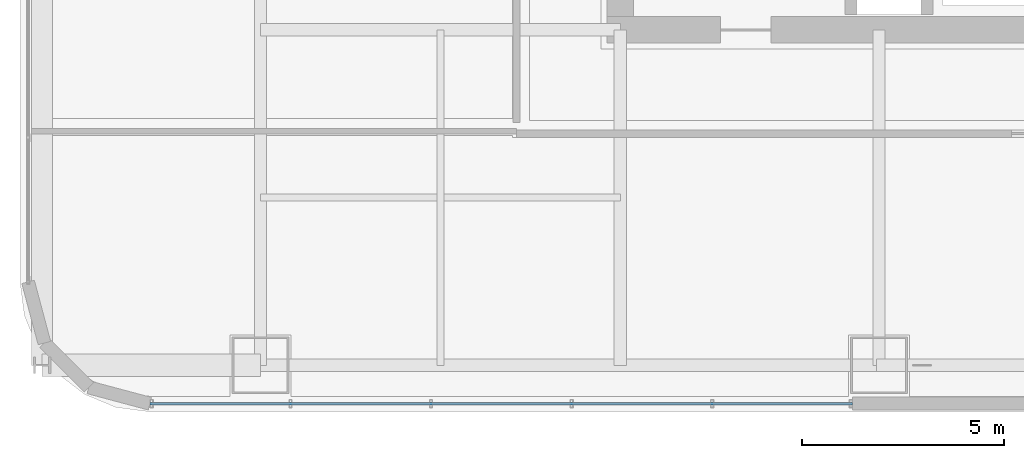
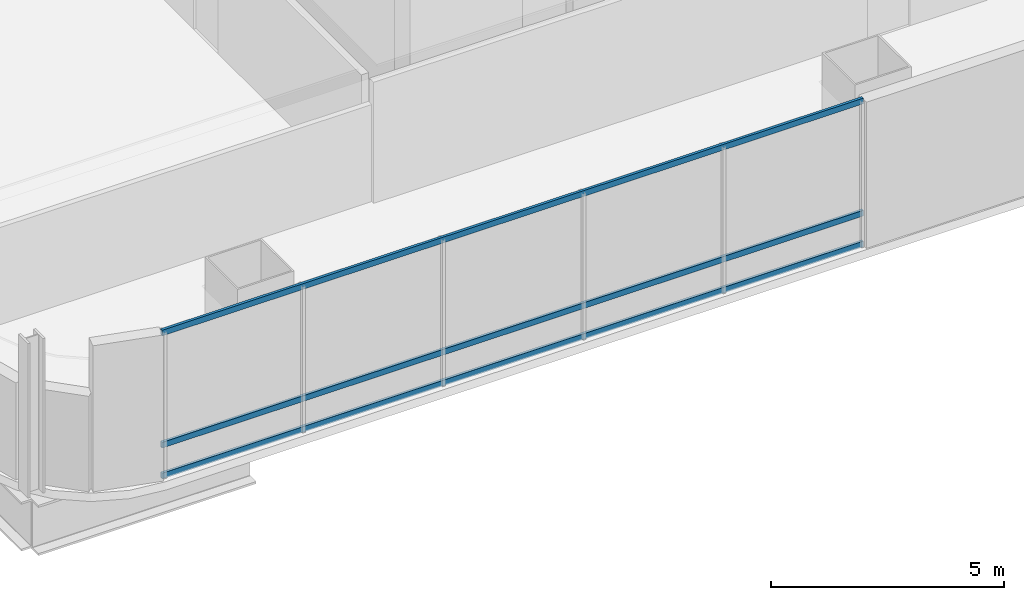
# One storey, part 3 of 38: 3 members, 1 element without a shape of its own.
"""IFC4 building model written with IfcOpenShell, lengths in metres."""

import ifcopenshell
import ifcopenshell.guid

model = None  # the IFC model being written
_history = None  # IfcOwnerHistory: only IFC2X3 demands one
_inside = {}  # id of a spatial element -> (the spatial element, [elements in it])
_under = {}  # id of a project, library or spatial element -> (it, [spatial elements below it])
_declared = {}  # id of a project -> (the project, [libraries it declares])
_typed = {}  # id of a type object -> (the type object, [elements of that type])
_made_of = {}  # id of a material, layer set ... -> (it, [elements and type objects made of it])


def new_model(schema):
    """Start an empty IFC model of exactly this schema.

    Asked for "IFC4X3", IfcOpenShell would pick the latest addendum, in which some entities
    have other attributes; the version numbers below select the first issue.
    IFC2X3 requires an IfcOwnerHistory on every rooted entity: one is made here for all.
    """
    global model, _history
    if schema == "IFC4X3":
        model = ifcopenshell.file(schema_version=(4, 3, 0, 0))
    else:
        model = ifcopenshell.file(schema=schema)
    _inside.clear()
    _under.clear()
    _declared.clear()
    _typed.clear()
    _made_of.clear()
    _history = None
    if model.schema == "IFC2X3":
        org = make("IfcOrganization", Name="unknown")
        user = make(
            "IfcPersonAndOrganization",
            ThePerson=make("IfcPerson", FamilyName="unknown"),
            TheOrganization=org,
        )
        app = make(
            "IfcApplication",
            ApplicationDeveloper=org,
            Version="unknown",
            ApplicationFullName="unknown",
            ApplicationIdentifier="unknown",
        )
        _history = make(
            "IfcOwnerHistory",
            OwningUser=user,
            OwningApplication=app,
            ChangeAction="ADDED",
            CreationDate=0,
        )
    return model


def make(cls, **values):
    """One entity of the class cls with the attributes given. An attribute that is None is left unset."""
    return model.create_entity(
        cls, **{name: value for name, value in values.items() if value is not None}
    )


def rooted(cls, **values):
    """An entity with a GlobalId (a new one), such as an element, a storey or a relation."""
    return make(cls, GlobalId=ifcopenshell.guid.new(), OwnerHistory=_history, **values)


def si_unit(unit_type, name, prefix=None):
    """IfcSIUnit, for example si_unit("LENGTHUNIT", "METRE", prefix="MILLI")."""
    return make("IfcSIUnit", UnitType=unit_type, Prefix=prefix, Name=name)


def assignment(units):
    """IfcUnitAssignment: the units of a project."""
    return None if units is None else make("IfcUnitAssignment", Units=units)


def point(xyz):
    """IfcCartesianPoint."""
    return None if xyz is None else make("IfcCartesianPoint", Coordinates=xyz)


def direction(xyz):
    """IfcDirection."""
    return None if xyz is None else make("IfcDirection", DirectionRatios=xyz)


def frame(location, z_axis=None, x_axis=None):
    """IfcAxis2Placement3D, a coordinate frame: its origin and axes. An axis left out is left unset."""
    return make(
        "IfcAxis2Placement3D",
        Location=point(location),
        Axis=direction(z_axis),
        RefDirection=direction(x_axis),
    )


def frame_2d(location, x_axis=None):
    """IfcAxis2Placement2D, a coordinate frame in the plane: its origin and x axis."""
    return make(
        "IfcAxis2Placement2D", Location=point(location), RefDirection=direction(x_axis)
    )


def origin():
    """The frame at (0, 0, 0) with its axes left unset."""
    return frame((0.0, 0.0, 0.0))


def origin_2d():
    """The frame at (0, 0) in the plane with its x axis left unset."""
    return frame_2d((0.0, 0.0))


def place(relative_to, where):
    """IfcLocalPlacement: puts the frame where relative to a parent placement (None: the world)."""
    return make(
        "IfcLocalPlacement", PlacementRelTo=relative_to, RelativePlacement=where
    )


def context(
    kind, dimensions, precision=None, world=None, true_north=None, identifier=None
):
    """IfcGeometricRepresentationContext, for example the 3D "Model" context."""
    return make(
        "IfcGeometricRepresentationContext",
        ContextIdentifier=identifier,
        ContextType=kind,
        CoordinateSpaceDimension=dimensions,
        Precision=precision,
        WorldCoordinateSystem=world,
        TrueNorth=true_north,
    )


def subcontext(parent, identifier, kind, view, scale=None):
    """IfcGeometricRepresentationSubContext, for example "Body" below "Model"."""
    return make(
        "IfcGeometricRepresentationSubContext",
        ContextIdentifier=identifier,
        ContextType=kind,
        ParentContext=parent,
        TargetScale=scale,
        TargetView=view,
    )


def project(units=None, contexts=None):
    """IfcProject with its units and contexts."""
    return rooted(
        "IfcProject",
        Name="project",
        RepresentationContexts=contexts,
        UnitsInContext=assignment(units),
    )


def spatial(cls, under=None, at=None, **own):
    """A site, building, storey or space (cls), placed at a placement, below another one or the project."""
    s = rooted(cls, ObjectPlacement=at, **own)
    if under is not None:
        _under.setdefault(under.id(), (under, []))[1].append(s)
    return s


def profile(cls, at=None, kind="AREA", **sizes):
    """A parametric profile (cls). Its sizes go by their IFC names, for example OverallWidth=200.0."""
    return make(cls, ProfileType=kind, Position=at, **sizes)


def hollow_rectangle(**sizes):
    """IfcRectangleHollowProfileDef."""
    return profile("IfcRectangleHollowProfileDef", **sizes)


def extrude(swept, where, along, depth):
    """IfcExtrudedAreaSolid: the profile swept, set in the frame where, extruded along a direction by depth."""
    return make(
        "IfcExtrudedAreaSolid",
        SweptArea=swept,
        Position=where,
        ExtrudedDirection=direction(along),
        Depth=depth,
    )


def shape(context_of_items, identifier, shape_type, items):
    """IfcShapeRepresentation: the items that make up one representation, for example the "Body"."""
    return make(
        "IfcShapeRepresentation",
        ContextOfItems=context_of_items,
        RepresentationIdentifier=identifier,
        RepresentationType=shape_type,
        Items=items,
    )


def material(Name=None, Category=None):
    """IfcMaterial."""
    return make("IfcMaterial", Name=Name, Category=Category)


def material_profile(
    of_material, cross_section, Name=None, Category=None, Priority=None
):
    """IfcMaterialProfile: a cross section and its material."""
    return make(
        "IfcMaterialProfile",
        Name=Name,
        Material=of_material,
        Profile=cross_section,
        Priority=Priority,
        Category=Category,
    )


def profile_set(profiles, Name=None, composite=None):
    """IfcMaterialProfileSet."""
    return make(
        "IfcMaterialProfileSet",
        Name=Name,
        MaterialProfiles=profiles,
        CompositeProfile=composite,
    )


def made_of(thing, what):
    """Note that an element or type object is made of a material, layer set ...; save() writes the relation."""
    if what is not None:
        _made_of.setdefault(what.id(), (what, []))[1].append(thing)
    return thing


def type_object(cls, material=None, **own):
    """A type object (cls), such as IfcWallType, which elements share."""
    return made_of(rooted(cls, **own), material)


def element(
    cls,
    number,
    at=None,
    inside=None,
    cuts=None,
    type_object=None,
    material=None,
    context=None,
    identifier="Body",
    shape_type=None,
    held_by="IfcProductDefinitionShape",
    body=None,
    shapes=None,
    **own,
):
    """One element of the class cls, such as IfcWall. Its Tag is "e" and its number.

    at: its placement. inside: the storey or other place that contains it. cuts: it is an
    opening in that element (IfcRelVoidsElement). A single representation is given by context,
    identifier, shape_type and body (its items); several are given by shapes. held_by: the class
    of the entity that holds the representations. save() writes the other relations.
    """
    e = rooted(cls, Tag="e%d" % number, ObjectPlacement=at, **own)
    if body is not None:
        shapes = [shape(context, identifier, shape_type, body)]
    if shapes is not None:
        e.Representation = make(held_by, Representations=shapes)
    if inside is not None:
        _inside.setdefault(inside.id(), (inside, []))[1].append(e)
    if cuts is not None:
        rooted(
            "IfcRelVoidsElement", RelatingBuildingElement=cuts, RelatedOpeningElement=e
        )
    if type_object is not None:
        _typed.setdefault(type_object.id(), (type_object, []))[1].append(e)
    return made_of(e, material)


def aggregate(whole, parts):
    """IfcRelAggregates: a whole, such as a stair, and the parts it consists of."""
    return rooted("IfcRelAggregates", RelatingObject=whole, RelatedObjects=parts)


def save(model, path):
    """Write the relations noted so far, then the file.

    IfcRelAggregates (storeys below a building ...), IfcRelContainedInSpatialStructure (elements
    in a storey), IfcRelDefinesByType, IfcRelAssociatesMaterial and IfcRelDeclares: one each for
    every whole, place, type object, material and project.
    """
    for whole, parts in _under.values():
        aggregate(whole, parts)
    for where, things in _inside.values():
        rooted(
            "IfcRelContainedInSpatialStructure",
            RelatedElements=things,
            RelatingStructure=where,
        )
    for kind, things in _typed.values():
        rooted("IfcRelDefinesByType", RelatedObjects=things, RelatingType=kind)
    for what, things in _made_of.values():
        rooted("IfcRelAssociatesMaterial", RelatedObjects=things, RelatingMaterial=what)
    for by, libraries in _declared.values():
        rooted("IfcRelDeclares", RelatingContext=by, RelatedDefinitions=libraries)
    model.write(path)


model = new_model("IFC4")

# Units and contexts
model_context = context("Model", 3, precision=1e-05, world=origin(), true_north=direction((0.0, 1.0)))
body_context = subcontext(model_context, "Body", "Model", "MODEL_VIEW")
ifc_project = project(units=[si_unit("LENGTHUNIT", "METRE"), si_unit("AREAUNIT", "SQUARE_METRE"), si_unit("VOLUMEUNIT", "CUBIC_METRE"), si_unit("PLANEANGLEUNIT", "RADIAN"), si_unit("MASSUNIT", "GRAM", prefix="KILO")], contexts=[model_context])

# Site, building, storey
site_placement = place(None, origin())
site = spatial("IfcSite", under=ifc_project, at=site_placement, CompositionType="ELEMENT")
building_placement = place(site_placement, origin())
building = spatial("IfcBuilding", under=site, at=building_placement, Name="Punatoya Terracotta Tower", CompositionType="ELEMENT")
storey_placement = place(building_placement, frame((0.0, 0.0, 156.0)))
storey = spatial("IfcBuildingStorey", under=building, at=storey_placement, Name="L36", CompositionType="ELEMENT", Elevation=156.0)

# Curtain wall, members
ifc_material_1 = material(Name="Aluminium 6063-T6 + Double Low-E Glass", Category="aluminium")
curtain_wall_type = type_object("IfcCurtainWallType", Name="CW-M2", PredefinedType="NOTDEFINED", material=ifc_material_1)
curtain_wall_placement = place(storey_placement, origin())
curtain_wall = element("IfcCurtainWall", 1, at=curtain_wall_placement, inside=storey, type_object=curtain_wall_type, Name="L36 Curtain Wall CW-L36-S01-1", PredefinedType="NOTDEFINED")
ifc_material_2 = material(Name="Aluminium 6063-T6", Category="aluminium")
ifc_material_profile = material_profile(ifc_material_2, hollow_rectangle(XDim=0.068115234375, YDim=0.14990234375, WallThickness=0.00390625, at=origin_2d()))
ifc_profile_set = profile_set([ifc_material_profile], Name="Aluminium 6063-T6")
member_type = type_object("IfcMemberType", Name="CW-TRN-TYP", PredefinedType="USERDEFINED", material=ifc_profile_set)
member_1_placement = place(storey_placement, frame((-21.8369140625, -18.449951171875, 0.0400390625), z_axis=(1.0, 0.0, 0.0), x_axis=(0.0, 1.0, 0.0)))
member_1 = element("IfcMember", 2, at=member_1_placement, type_object=member_type, Name="CW-L36-S01-1 Transom 1", ObjectType="TRANSOM", PredefinedType="USERDEFINED", context=body_context, shape_type="SweptSolid", body=[
    extrude(hollow_rectangle(XDim=0.068115234375, YDim=0.14990234375, WallThickness=0.00390625, at=origin_2d()), origin(), (0.0, 0.0, 1.0), 17.386962890625),
])
member_2_placement = place(storey_placement, frame((-21.8369140625, -18.449951171875, 0.85009765625), z_axis=(1.0, 0.0, 0.0), x_axis=(0.0, 1.0, 0.0)))
member_2 = element("IfcMember", 3, at=member_2_placement, type_object=member_type, Name="CW-L36-S01-1 Transom 2", ObjectType="TRANSOM", PredefinedType="USERDEFINED", context=body_context, shape_type="SweptSolid", body=[
    extrude(hollow_rectangle(XDim=0.068115234375, YDim=0.14990234375, WallThickness=0.00390625, at=origin_2d()), origin(), (0.0, 0.0, 1.0), 17.386962890625),
])
member_3_placement = place(storey_placement, frame((-21.8369140625, -18.449951171875, 3.7900390625), z_axis=(1.0, 0.0, 0.0), x_axis=(0.0, 1.0, 0.0)))
member_3 = element("IfcMember", 4, at=member_3_placement, type_object=member_type, Name="CW-L36-S01-1 Transom 3", ObjectType="TRANSOM", PredefinedType="USERDEFINED", context=body_context, shape_type="SweptSolid", body=[
    extrude(hollow_rectangle(XDim=0.068115234375, YDim=0.14990234375, WallThickness=0.00390625, at=origin_2d()), origin(), (0.0, 0.0, 1.0), 17.386962890625),
])
aggregate(curtain_wall, [member_1, member_2, member_3])

save(model, "model.ifc")
